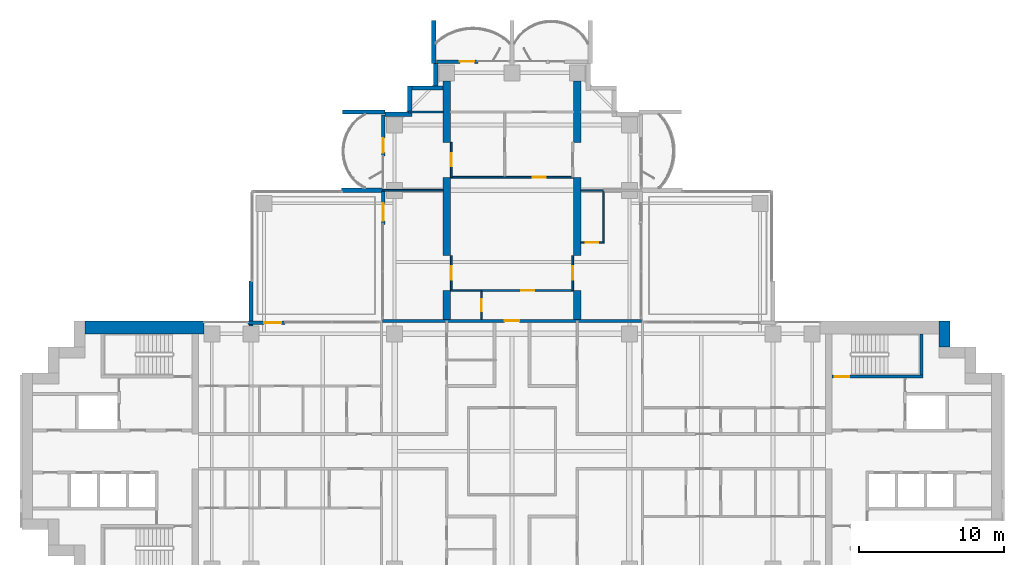
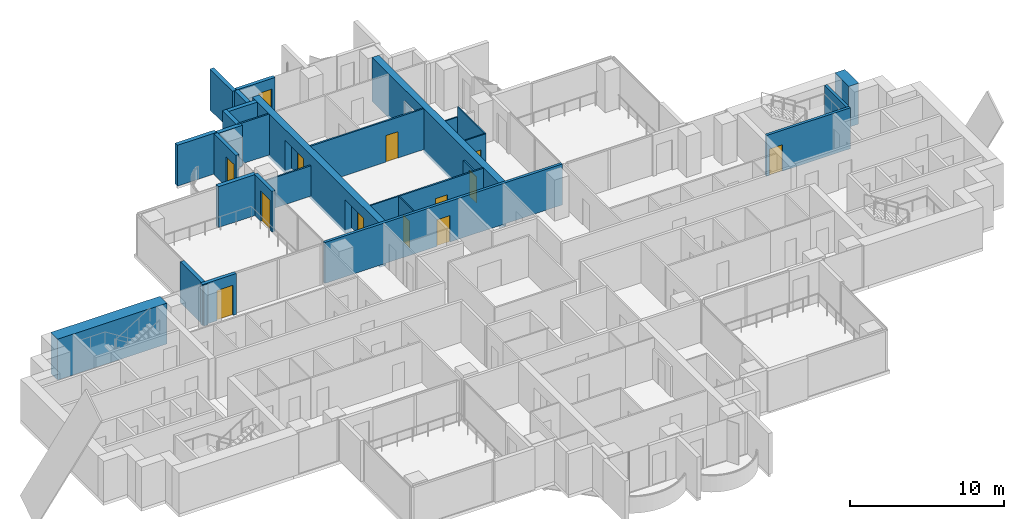
# One storey, part 13 of 18: 31 walls, 13 doors, 13 openings.
"""IFC4 building model written with IfcOpenShell, lengths in metres."""

import ifcopenshell
import ifcopenshell.guid

model = None  # the IFC model being written
_history = None  # IfcOwnerHistory: only IFC2X3 demands one
_inside = {}  # id of a spatial element -> (the spatial element, [elements in it])
_under = {}  # id of a project, library or spatial element -> (it, [spatial elements below it])
_declared = {}  # id of a project -> (the project, [libraries it declares])
_typed = {}  # id of a type object -> (the type object, [elements of that type])
_made_of = {}  # id of a material, layer set ... -> (it, [elements and type objects made of it])


def new_model(schema):
    """Start an empty IFC model of exactly this schema.

    Asked for "IFC4X3", IfcOpenShell would pick the latest addendum, in which some entities
    have other attributes; the version numbers below select the first issue.
    IFC2X3 requires an IfcOwnerHistory on every rooted entity: one is made here for all.
    """
    global model, _history
    if schema == "IFC4X3":
        model = ifcopenshell.file(schema_version=(4, 3, 0, 0))
    else:
        model = ifcopenshell.file(schema=schema)
    _inside.clear()
    _under.clear()
    _declared.clear()
    _typed.clear()
    _made_of.clear()
    _history = None
    if model.schema == "IFC2X3":
        org = make("IfcOrganization", Name="unknown")
        user = make(
            "IfcPersonAndOrganization",
            ThePerson=make("IfcPerson", FamilyName="unknown"),
            TheOrganization=org,
        )
        app = make(
            "IfcApplication",
            ApplicationDeveloper=org,
            Version="unknown",
            ApplicationFullName="unknown",
            ApplicationIdentifier="unknown",
        )
        _history = make(
            "IfcOwnerHistory",
            OwningUser=user,
            OwningApplication=app,
            ChangeAction="ADDED",
            CreationDate=0,
        )
    return model


def make(cls, **values):
    """One entity of the class cls with the attributes given. An attribute that is None is left unset."""
    return model.create_entity(
        cls, **{name: value for name, value in values.items() if value is not None}
    )


def rooted(cls, **values):
    """An entity with a GlobalId (a new one), such as an element, a storey or a relation."""
    return make(cls, GlobalId=ifcopenshell.guid.new(), OwnerHistory=_history, **values)


def si_unit(unit_type, name, prefix=None):
    """IfcSIUnit, for example si_unit("LENGTHUNIT", "METRE", prefix="MILLI")."""
    return make("IfcSIUnit", UnitType=unit_type, Prefix=prefix, Name=name)


def assignment(units):
    """IfcUnitAssignment: the units of a project."""
    return None if units is None else make("IfcUnitAssignment", Units=units)


def point(xyz):
    """IfcCartesianPoint."""
    return None if xyz is None else make("IfcCartesianPoint", Coordinates=xyz)


def direction(xyz):
    """IfcDirection."""
    return None if xyz is None else make("IfcDirection", DirectionRatios=xyz)


def frame(location, z_axis=None, x_axis=None):
    """IfcAxis2Placement3D, a coordinate frame: its origin and axes. An axis left out is left unset."""
    return make(
        "IfcAxis2Placement3D",
        Location=point(location),
        Axis=direction(z_axis),
        RefDirection=direction(x_axis),
    )


def frame_2d(location, x_axis=None):
    """IfcAxis2Placement2D, a coordinate frame in the plane: its origin and x axis."""
    return make(
        "IfcAxis2Placement2D", Location=point(location), RefDirection=direction(x_axis)
    )


def origin():
    """The frame at (0, 0, 0) with its axes left unset."""
    return frame((0.0, 0.0, 0.0))


def place(relative_to, where):
    """IfcLocalPlacement: puts the frame where relative to a parent placement (None: the world)."""
    return make(
        "IfcLocalPlacement", PlacementRelTo=relative_to, RelativePlacement=where
    )


def context(
    kind, dimensions, precision=None, world=None, true_north=None, identifier=None
):
    """IfcGeometricRepresentationContext, for example the 3D "Model" context."""
    return make(
        "IfcGeometricRepresentationContext",
        ContextIdentifier=identifier,
        ContextType=kind,
        CoordinateSpaceDimension=dimensions,
        Precision=precision,
        WorldCoordinateSystem=world,
        TrueNorth=true_north,
    )


def subcontext(parent, identifier, kind, view, scale=None):
    """IfcGeometricRepresentationSubContext, for example "Body" below "Model"."""
    return make(
        "IfcGeometricRepresentationSubContext",
        ContextIdentifier=identifier,
        ContextType=kind,
        ParentContext=parent,
        TargetScale=scale,
        TargetView=view,
    )


def project(units=None, contexts=None):
    """IfcProject with its units and contexts."""
    return rooted(
        "IfcProject",
        Name="project",
        RepresentationContexts=contexts,
        UnitsInContext=assignment(units),
    )


def spatial(cls, under=None, at=None, **own):
    """A site, building, storey or space (cls), placed at a placement, below another one or the project."""
    s = rooted(cls, ObjectPlacement=at, **own)
    if under is not None:
        _under.setdefault(under.id(), (under, []))[1].append(s)
    return s


def polyline(points):
    """IfcPolyline through the points."""
    return make("IfcPolyline", Points=[point(p) for p in points])


def profile(cls, at=None, kind="AREA", **sizes):
    """A parametric profile (cls). Its sizes go by their IFC names, for example OverallWidth=200.0."""
    return make(cls, ProfileType=kind, Position=at, **sizes)


def rectangle(**sizes):
    """IfcRectangleProfileDef."""
    return profile("IfcRectangleProfileDef", **sizes)


def outline(outer, holes=None, kind="AREA"):
    """IfcArbitraryClosedProfileDef: a profile drawn as a closed curve; with holes, ...WithVoids."""
    if holes is None:
        return make("IfcArbitraryClosedProfileDef", ProfileType=kind, OuterCurve=outer)
    return make(
        "IfcArbitraryProfileDefWithVoids",
        ProfileType=kind,
        OuterCurve=outer,
        InnerCurves=holes,
    )


def extrude(swept, where, along, depth):
    """IfcExtrudedAreaSolid: the profile swept, set in the frame where, extruded along a direction by depth."""
    return make(
        "IfcExtrudedAreaSolid",
        SweptArea=swept,
        Position=where,
        ExtrudedDirection=direction(along),
        Depth=depth,
    )


def shape(context_of_items, identifier, shape_type, items):
    """IfcShapeRepresentation: the items that make up one representation, for example the "Body"."""
    return make(
        "IfcShapeRepresentation",
        ContextOfItems=context_of_items,
        RepresentationIdentifier=identifier,
        RepresentationType=shape_type,
        Items=items,
    )


def material(Name=None, Category=None):
    """IfcMaterial."""
    return make("IfcMaterial", Name=Name, Category=Category)


def layer(
    of_material, thickness, ventilated=None, Name=None, Category=None, Priority=None
):
    """IfcMaterialLayer: one layer of a wall or slab, of a material (None: an air gap)."""
    return make(
        "IfcMaterialLayer",
        Material=of_material,
        LayerThickness=thickness,
        IsVentilated=ventilated,
        Name=Name,
        Category=Category,
        Priority=Priority,
    )


def layer_set(layers, Name=None):
    """IfcMaterialLayerSet."""
    return make("IfcMaterialLayerSet", MaterialLayers=layers, LayerSetName=Name)


def material_profile(
    of_material, cross_section, Name=None, Category=None, Priority=None
):
    """IfcMaterialProfile: a cross section and its material."""
    return make(
        "IfcMaterialProfile",
        Name=Name,
        Material=of_material,
        Profile=cross_section,
        Priority=Priority,
        Category=Category,
    )


def profile_set(profiles, Name=None, composite=None):
    """IfcMaterialProfileSet."""
    return make(
        "IfcMaterialProfileSet",
        Name=Name,
        MaterialProfiles=profiles,
        CompositeProfile=composite,
    )


def made_of(thing, what):
    """Note that an element or type object is made of a material, layer set ...; save() writes the relation."""
    if what is not None:
        _made_of.setdefault(what.id(), (what, []))[1].append(thing)
    return thing


def type_object(cls, material=None, **own):
    """A type object (cls), such as IfcWallType, which elements share."""
    return made_of(rooted(cls, **own), material)


def element(
    cls,
    number,
    at=None,
    inside=None,
    cuts=None,
    type_object=None,
    material=None,
    context=None,
    identifier="Body",
    shape_type=None,
    held_by="IfcProductDefinitionShape",
    body=None,
    shapes=None,
    **own,
):
    """One element of the class cls, such as IfcWall. Its Tag is "e" and its number.

    at: its placement. inside: the storey or other place that contains it. cuts: it is an
    opening in that element (IfcRelVoidsElement). A single representation is given by context,
    identifier, shape_type and body (its items); several are given by shapes. held_by: the class
    of the entity that holds the representations. save() writes the other relations.
    """
    e = rooted(cls, Tag="e%d" % number, ObjectPlacement=at, **own)
    if body is not None:
        shapes = [shape(context, identifier, shape_type, body)]
    if shapes is not None:
        e.Representation = make(held_by, Representations=shapes)
    if inside is not None:
        _inside.setdefault(inside.id(), (inside, []))[1].append(e)
    if cuts is not None:
        rooted(
            "IfcRelVoidsElement", RelatingBuildingElement=cuts, RelatedOpeningElement=e
        )
    if type_object is not None:
        _typed.setdefault(type_object.id(), (type_object, []))[1].append(e)
    return made_of(e, material)


def fill(opening, filler):
    """IfcRelFillsElement: the door or window that sits in an opening."""
    return rooted(
        "IfcRelFillsElement",
        RelatingOpeningElement=opening,
        RelatedBuildingElement=filler,
    )


def aggregate(whole, parts):
    """IfcRelAggregates: a whole, such as a stair, and the parts it consists of."""
    return rooted("IfcRelAggregates", RelatingObject=whole, RelatedObjects=parts)


def save(model, path):
    """Write the relations noted so far, then the file.

    IfcRelAggregates (storeys below a building ...), IfcRelContainedInSpatialStructure (elements
    in a storey), IfcRelDefinesByType, IfcRelAssociatesMaterial and IfcRelDeclares: one each for
    every whole, place, type object, material and project.
    """
    for whole, parts in _under.values():
        aggregate(whole, parts)
    for where, things in _inside.values():
        rooted(
            "IfcRelContainedInSpatialStructure",
            RelatedElements=things,
            RelatingStructure=where,
        )
    for kind, things in _typed.values():
        rooted("IfcRelDefinesByType", RelatedObjects=things, RelatingType=kind)
    for what, things in _made_of.values():
        rooted("IfcRelAssociatesMaterial", RelatedObjects=things, RelatingMaterial=what)
    for by, libraries in _declared.values():
        rooted("IfcRelDeclares", RelatingContext=by, RelatedDefinitions=libraries)
    model.write(path)


model = new_model("IFC4")

# Units and contexts
model_context = context("Model", 3, precision=1e-05, world=origin(), true_north=direction((0.0, 1.0)))
body_context = subcontext(model_context, "Body", "Model", "MODEL_VIEW")
ifc_project = project(units=[si_unit("LENGTHUNIT", "METRE"), si_unit("AREAUNIT", "SQUARE_METRE"), si_unit("VOLUMEUNIT", "CUBIC_METRE"), si_unit("PLANEANGLEUNIT", "RADIAN"), si_unit("MASSUNIT", "GRAM", prefix="KILO")], contexts=[model_context])

# Site, building, storey
site_placement = place(None, origin())
site = spatial("IfcSite", under=ifc_project, at=site_placement, CompositionType="ELEMENT")
building_placement = place(site_placement, origin())
building = spatial("IfcBuilding", under=site, at=building_placement, Name="Perihelion Cross Residences", CompositionType="ELEMENT")
storey_placement = place(building_placement, frame((0.0, 0.0, 133.89990234375)))
storey = spatial("IfcBuildingStorey", under=building, at=storey_placement, Name="L32", CompositionType="ELEMENT", Elevation=133.89990234375)

# Wall, opening, door
ifc_material_1 = material(Name="Plasterboard partition")
ifc_layer_1 = layer(ifc_material_1, 0.199951171875)
ifc_layer_set_1 = layer_set([ifc_layer_1], Name="Apartment separation wall 200")
wall_type_1 = type_object("IfcWallType", Name="Apartment separation wall 200", PredefinedType="PARTITIONING", material=ifc_layer_set_1)
wall_1_placement = place(storey_placement, frame((-8.919921875, 9.0, 0.0), z_axis=(0.0, 0.0, 1.0), x_axis=(1.0, 0.0, 0.0)))
wall_1 = element("IfcWall", 1, at=wall_1_placement, inside=storey, type_object=wall_type_1, Name="Partition L32 W021", PredefinedType="PARTITIONING", context=body_context, shape_type="SweptSolid", body=[
    extrude(rectangle(XDim=17.83984375, YDim=0.199951171875, at=frame_2d((8.919921875, 0.0))), origin(), (0.0, 0.0, 1.0), 3.25),
])
opening_1_placement = place(wall_1_placement, frame((8.419921875, 0.0, 0.0)))
opening_1 = element("IfcOpeningElement", 2, at=opening_1_placement, cuts=wall_1, Name="Opening L32.A32", PredefinedType="OPENING", context=body_context, shape_type="SweptSolid", body=[
    extrude(rectangle(XDim=1.0, YDim=2.10009765625, at=frame_2d((0.5, 1.050048828125))), frame((0.0, 0.10986328125, 0.0), z_axis=(0.0, -1.0, 0.0), x_axis=(1.0, 0.0, 0.0)), (0.0, 0.0, 1.0), 0.219970703125),
])
ifc_material_2 = material(Name="Timber door leaf", Category="wood")
door_type_1 = type_object("IfcDoorType", Name="Flat entrance door 1000 x 2100", OperationType="SINGLE_SWING_LEFT", PredefinedType="DOOR", material=ifc_material_2)
door_1_placement = place(opening_1_placement, origin())
door_1 = element("IfcDoor", 3, at=door_1_placement, inside=storey, type_object=door_type_1, Name="Door L32.A32", OperationType="SINGLE_SWING_RIGHT", OverallHeight=2.10009765625, OverallWidth=1.0, PredefinedType="DOOR", context=body_context, shape_type="SweptSolid", body=[
    extrude(rectangle(XDim=1.0, YDim=2.10009765625, at=frame_2d((0.5, 1.050048828125))), frame((0.0, 0.02490234375, 0.0), z_axis=(0.0, -1.0, 0.0), x_axis=(1.0, 0.0, 0.0)), (0.0, 0.0, 1.0), 0.050048828125),
])
fill(opening_1, door_1)

ifc_material_3 = material(Name="Concrete C30/37, bronze-clad", Category="concrete")
ifc_layer_2 = layer(ifc_material_3, 0.25)
ifc_layer_set_2 = layer_set([ifc_layer_2], Name="Bronze-clad pier wall 250")
wall_type_2 = type_object("IfcWallType", Name="Bronze-clad pier wall 250", PredefinedType="SOLIDWALL", material=ifc_layer_set_2)
wall_2_placement = place(storey_placement, frame((-2.35009765625, 26.875, 0.0), z_axis=(0.0, 0.0, 1.0), x_axis=(-1.0, 0.0, 0.0)))
wall_2 = element("IfcWall", 4, at=wall_2_placement, inside=storey, type_object=wall_type_2, Name="Wall FW1 L32 north tip north bay 2 pier", PredefinedType="SOLIDWALL", context=body_context, shape_type="SweptSolid", body=[
    extrude(rectangle(XDim=2.849853515625, YDim=0.25, at=frame_2d((1.4248046875, 0.0))), origin(), (0.0, 0.0, 1.0), 3.25),
])
opening_2_placement = place(wall_2_placement, frame((0.25, 0.0, 0.0)))
opening_2 = element("IfcOpeningElement", 5, at=opening_2_placement, cuts=wall_2, Name="Opening L32.E05", PredefinedType="OPENING", context=body_context, shape_type="SweptSolid", body=[
    extrude(rectangle(XDim=1.0, YDim=2.39990234375, at=frame_2d((0.5, 1.199951171875))), frame((0.0, 0.135009765625, 0.0), z_axis=(0.0, -1.0, 0.0), x_axis=(1.0, 0.0, 0.0)), (0.0, 0.0, 1.0), 0.27001953125),
])
ifc_material_4 = material(Name="Bronze anodised aluminium, glazed", Category="aluminium")
door_type_2 = type_object("IfcDoorType", Name="Balcony door 1000 x 2400", OperationType="NOTDEFINED", PredefinedType="DOOR", material=ifc_material_4)
door_2_placement = place(opening_2_placement, origin())
door_2 = element("IfcDoor", 6, at=door_2_placement, inside=storey, type_object=door_type_2, Name="Door L32.E05 north tip north bay 2", OperationType="SINGLE_SWING_RIGHT", OverallHeight=2.39990234375, OverallWidth=1.0, PredefinedType="DOOR", context=body_context, shape_type="SweptSolid", body=[
    extrude(rectangle(XDim=1.0, YDim=2.39990234375, at=frame_2d((0.5, 1.199951171875))), frame((0.0, 0.02490234375, 0.0), z_axis=(0.0, -1.0, 0.0), x_axis=(1.0, 0.0, 0.0)), (0.0, 0.0, 1.0), 0.050048828125),
])
fill(opening_2, door_2)

wall_3_placement = place(storey_placement, frame((-8.875, 23.199951171875, 0.0), z_axis=(0.0, 0.0, 1.0), x_axis=(0.0, -1.0, 0.0)))
wall_3 = element("IfcWall", 7, at=wall_3_placement, inside=storey, type_object=wall_type_2, Name="Wall FW1 L32 north side west bay 1 pier", PredefinedType="SOLIDWALL", context=body_context, shape_type="SweptSolid", body=[
    extrude(rectangle(XDim=2.849853515625, YDim=0.25, at=frame_2d((1.4248046875, 0.0))), origin(), (0.0, 0.0, 1.0), 3.25),
])
opening_3_placement = place(wall_3_placement, frame((1.60009765625, 0.0, 0.0)))
opening_3 = element("IfcOpeningElement", 8, at=opening_3_placement, cuts=wall_3, Name="Opening L32.E06", PredefinedType="OPENING", context=body_context, shape_type="SweptSolid", body=[
    extrude(rectangle(XDim=1.0, YDim=2.39990234375, at=frame_2d((0.5, 1.199951171875))), frame((0.0, 0.135009765625, 0.0), z_axis=(0.0, -1.0, 0.0), x_axis=(1.0, 0.0, 0.0)), (0.0, 0.0, 1.0), 0.27001953125),
])
door_3_placement = place(opening_3_placement, origin())
door_3 = element("IfcDoor", 9, at=door_3_placement, inside=storey, type_object=door_type_2, Name="Door L32.E06 north side west bay 1", OperationType="SINGLE_SWING_LEFT", OverallHeight=2.39990234375, OverallWidth=1.0, PredefinedType="DOOR", context=body_context, shape_type="SweptSolid", body=[
    extrude(rectangle(XDim=1.0, YDim=2.39990234375, at=frame_2d((0.5, 1.199951171875))), frame((0.0, 0.02490234375, 0.0), z_axis=(0.0, -1.0, 0.0), x_axis=(1.0, 0.0, 0.0)), (0.0, 0.0, 1.0), 0.050048828125),
])
fill(opening_3, door_3)

wall_4_placement = place(storey_placement, frame((-8.875, 17.93994140625, 0.0), z_axis=(0.0, 0.0, 1.0), x_axis=(0.0, -1.0, 0.0)))
wall_4 = element("IfcWall", 10, at=wall_4_placement, inside=storey, type_object=wall_type_2, Name="Wall FW1 L32 north side west bay 2 pier", PredefinedType="SOLIDWALL", context=body_context, shape_type="SweptSolid", body=[
    extrude(rectangle(XDim=2.2900390625, YDim=0.25, at=frame_2d((1.14501953125, 0.0))), origin(), (0.0, 0.0, 1.0), 3.25),
])
opening_4_placement = place(wall_4_placement, frame((0.840087890625, 0.0, 0.0)))
opening_4 = element("IfcOpeningElement", 11, at=opening_4_placement, cuts=wall_4, Name="Opening L32.E07", PredefinedType="OPENING", context=body_context, shape_type="SweptSolid", body=[
    extrude(rectangle(XDim=1.199951171875, YDim=2.39990234375, at=frame_2d((0.60009765625, 1.199951171875))), frame((0.0, 0.135009765625, 0.0), z_axis=(0.0, -1.0, 0.0), x_axis=(1.0, 0.0, 0.0)), (0.0, 0.0, 1.0), 0.27001953125),
])
ifc_material_5 = material(Name="Bronze anodised aluminium, glazed", Category="aluminium")
door_type_3 = type_object("IfcDoorType", Name="Balcony door 1200 x 2400", OperationType="NOTDEFINED", PredefinedType="DOOR", material=ifc_material_5)
door_4_placement = place(opening_4_placement, origin())
door_4 = element("IfcDoor", 12, at=door_4_placement, inside=storey, type_object=door_type_3, Name="Door L32.E07 north side west bay 2", OperationType="SINGLE_SWING_RIGHT", OverallHeight=2.39990234375, OverallWidth=1.199951171875, PredefinedType="DOOR", context=body_context, shape_type="SweptSolid", body=[
    extrude(rectangle(XDim=1.199951171875, YDim=2.39990234375, at=frame_2d((0.60009765625, 1.199951171875))), frame((0.0, 0.02490234375, 0.0), z_axis=(0.0, -1.0, 0.0), x_axis=(1.0, 0.0, 0.0)), (0.0, 0.0, 1.0), 0.050048828125),
])
fill(opening_4, door_4)

wall_5_placement = place(storey_placement, frame((-15.64990234375, 8.875, 0.0), z_axis=(0.0, 0.0, 1.0), x_axis=(-1.0, 0.0, 0.0)))
wall_5 = element("IfcWall", 13, at=wall_5_placement, inside=storey, type_object=wall_type_2, Name="Wall FW1 L32 west side north bay 1 pier", PredefinedType="SOLIDWALL", context=body_context, shape_type="SweptSolid", body=[
    extrude(rectangle(XDim=2.550048828125, YDim=0.25, at=frame_2d((1.27490234375, 0.0))), origin(), (0.0, 0.0, 1.0), 3.25),
])
opening_5_placement = place(wall_5_placement, frame((0.25, 0.0, 0.0)))
opening_5 = element("IfcOpeningElement", 14, at=opening_5_placement, cuts=wall_5, Name="Opening L32.E08", PredefinedType="OPENING", context=body_context, shape_type="SweptSolid", body=[
    extrude(rectangle(XDim=1.199951171875, YDim=2.39990234375, at=frame_2d((0.60009765625, 1.199951171875))), frame((0.0, 0.135009765625, 0.0), z_axis=(0.0, -1.0, 0.0), x_axis=(1.0, 0.0, 0.0)), (0.0, 0.0, 1.0), 0.27001953125),
])
door_5_placement = place(opening_5_placement, origin())
door_5 = element("IfcDoor", 15, at=door_5_placement, inside=storey, type_object=door_type_3, Name="Door L32.E08 west side north bay 1", OperationType="SINGLE_SWING_LEFT", OverallHeight=2.39990234375, OverallWidth=1.199951171875, PredefinedType="DOOR", context=body_context, shape_type="SweptSolid", body=[
    extrude(rectangle(XDim=1.199951171875, YDim=2.39990234375, at=frame_2d((0.60009765625, 1.199951171875))), frame((0.0, 0.02490234375, 0.0), z_axis=(0.0, -1.0, 0.0), x_axis=(1.0, 0.0, 0.0)), (0.0, 0.0, 1.0), 0.050048828125),
])
fill(opening_5, door_5)

# Walls
ifc_material_6 = material(Name="Concrete C30/37, bronze-clad", Category="concrete")
ifc_layer_3 = layer(ifc_material_6, 0.300048828125)
ifc_layer_set_3 = layer_set([ifc_layer_3], Name="Bronze-clad serration wall 300")
wall_type_3 = type_object("IfcWallType", Name="Bronze-clad serration wall 300", PredefinedType="SOLIDWALL", material=ifc_layer_set_3)
wall_6_placement = place(storey_placement, frame((-5.25, 26.75, 0.0), z_axis=(0.0, 0.0, 1.0), x_axis=(0.0, -1.0, 0.0)))
element("IfcWall", 16, at=wall_6_placement, inside=storey, type_object=wall_type_3, Name="Wall SR1 L32 north corner north-west 1", PredefinedType="SOLIDWALL", context=body_context, shape_type="SweptSolid", body=[
    extrude(rectangle(XDim=1.550048828125, YDim=0.300048828125, at=frame_2d((0.77490234375, 0.0))), origin(), (0.0, 0.0, 1.0), 3.25),
])
wall_7_placement = place(storey_placement, frame((-4.75, 25.050048828125, 0.0), z_axis=(0.0, 0.0, 1.0), x_axis=(-1.0, 0.0, 0.0)))
element("IfcWall", 17, at=wall_7_placement, inside=storey, type_object=wall_type_3, Name="Wall SR1 L32 north corner north-west 2", PredefinedType="SOLIDWALL", context=body_context, shape_type="SweptSolid", body=[
    extrude(rectangle(XDim=2.14990234375, YDim=0.300048828125, at=frame_2d((1.074951171875, 0.0))), origin(), (0.0, 0.0, 1.0), 3.25),
])
wall_8_placement = place(storey_placement, frame((-7.050048828125, 25.199951171875, 0.0), z_axis=(0.0, 0.0, 1.0), x_axis=(0.0, -1.0, 0.0)))
element("IfcWall", 18, at=wall_8_placement, inside=storey, type_object=wall_type_3, Name="Wall SR1 L32 north corner north-west 3", PredefinedType="SOLIDWALL", context=body_context, shape_type="SweptSolid", body=[
    extrude(rectangle(XDim=1.800048828125, YDim=0.300048828125, at=frame_2d((0.89990234375, 0.0))), origin(), (0.0, 0.0, 1.0), 3.25),
])
wall_9_placement = place(storey_placement, frame((-6.89990234375, 23.25, 0.0), z_axis=(0.0, 0.0, 1.0), x_axis=(-1.0, 0.0, 0.0)))
element("IfcWall", 19, at=wall_9_placement, inside=storey, type_object=wall_type_3, Name="Wall SR1 L32 north corner north-west 4", PredefinedType="SOLIDWALL", context=body_context, shape_type="SweptSolid", body=[
    extrude(rectangle(XDim=1.85009765625, YDim=0.300048828125, at=frame_2d((0.925048828125, 0.0))), origin(), (0.0, 0.0, 1.0), 3.25),
])
ifc_material_7 = material(Name="Concrete C60/75", Category="concrete")
ifc_layer_4 = layer(ifc_material_7, 0.75)
ifc_layer_set_4 = layer_set([ifc_layer_4], Name="Core wall, outer 750")
wall_type_4 = type_object("IfcWallType", Name="Core wall, outer 750", PredefinedType="SHEAR", material=ifc_layer_set_4)
wall_10_placement = place(storey_placement, frame((29.824951171875, 7.199951171875, 0.0), z_axis=(0.0, 0.0, 1.0), x_axis=(0.0, 1.0, 0.0)))
element("IfcWall", 20, at=wall_10_placement, inside=storey, type_object=wall_type_4, Name="East core core wall, outer", PredefinedType="SHEAR", context=body_context, shape_type="SweptSolid", body=[
    extrude(rectangle(XDim=1.800048828125, YDim=0.75, at=frame_2d((0.89990234375, 0.0))), origin(), (0.0, 0.0, 1.0), 3.25),
])
ifc_material_8 = material(Name="Concrete C60/75", Category="concrete")
ifc_layer_5 = layer(ifc_material_8, 0.89990234375)
ifc_layer_set_5 = layer_set([ifc_layer_5], Name="Core wall, outer 900")
wall_type_5 = type_object("IfcWallType", Name="Core wall, outer 900", PredefinedType="SHEAR", material=ifc_layer_set_5)
wall_11_placement = place(storey_placement, frame((-29.449951171875, 8.550048828125, 0.0), z_axis=(0.0, 0.0, 1.0), x_axis=(1.0, 0.0, 0.0)))
element("IfcWall", 21, at=wall_11_placement, inside=storey, type_object=wall_type_5, Name="West core core wall, outer", PredefinedType="SHEAR", context=body_context, shape_type="SweptSolid", body=[
    extrude(rectangle(XDim=8.199951171875, YDim=0.89990234375, at=frame_2d((4.10009765625, 0.0))), origin(), (0.0, 0.0, 1.0), 3.25),
])

# Wall, opening, door
ifc_material_9 = material(Name="Plasterboard partition")
ifc_layer_6 = layer(ifc_material_9, 0.1201171875)
ifc_layer_set_6 = layer_set([ifc_layer_6], Name="Infill panel 120")
wall_type_6 = type_object("IfcWallType", Name="Infill panel 120", PredefinedType="PARTITIONING", material=ifc_layer_set_6)
wall_12_placement = place(storey_placement, frame((4.18994140625, 11.10009765625, 0.0), z_axis=(0.0, 0.0, 1.0), x_axis=(0.0, 1.0, 0.0)))
wall_12 = element("IfcWall", 22, at=wall_12_placement, inside=storey, type_object=wall_type_6, Name="Partition L32 WI01", PredefinedType="PARTITIONING", context=body_context, shape_type="SweptSolid", body=[
    extrude(rectangle(XDim=2.39990234375, YDim=0.1201171875, at=frame_2d((1.199951171875, 0.0))), origin(), (0.0, 0.0, 1.0), 2.400146484375),
])
opening_6_placement = place(wall_12_placement, frame((0.75, 0.0, 0.0)))
opening_6 = element("IfcOpeningElement", 23, at=opening_6_placement, cuts=wall_12, Name="Opening L32.A50", PredefinedType="OPENING", context=body_context, shape_type="SweptSolid", body=[
    extrude(rectangle(XDim=0.89990234375, YDim=2.10009765625, at=frame_2d((0.449951171875, 1.050048828125))), frame((0.0, 0.070068359375, 0.0), z_axis=(0.0, -1.0, 0.0), x_axis=(1.0, 0.0, 0.0)), (0.0, 0.0, 1.0), 0.14013671875),
])
ifc_material_10 = material(Name="Timber door leaf", Category="wood")
door_type_4 = type_object("IfcDoorType", Name="Interior room door 900 x 2100", OperationType="SINGLE_SWING_LEFT", PredefinedType="DOOR", material=ifc_material_10)
door_6_placement = place(opening_6_placement, origin())
door_6 = element("IfcDoor", 24, at=door_6_placement, inside=storey, type_object=door_type_4, Name="Door L32.A50", OperationType="SINGLE_SWING_RIGHT", OverallHeight=2.10009765625, OverallWidth=0.89990234375, PredefinedType="DOOR", context=body_context, shape_type="SweptSolid", body=[
    extrude(rectangle(XDim=0.89990234375, YDim=2.10009765625, at=frame_2d((0.449951171875, 1.050048828125))), frame((0.0, 0.02490234375, 0.0), z_axis=(0.0, -1.0, 0.0), x_axis=(1.0, 0.0, 0.0)), (0.0, 0.0, 1.0), 0.050048828125),
])
fill(opening_6, door_6)

wall_13_placement = place(storey_placement, frame((-4.18994140625, 11.10009765625, 0.0), z_axis=(0.0, 0.0, 1.0), x_axis=(0.0, 1.0, 0.0)))
wall_13 = element("IfcWall", 25, at=wall_13_placement, inside=storey, type_object=wall_type_6, Name="Partition L32 WI03", PredefinedType="PARTITIONING", context=body_context, shape_type="SweptSolid", body=[
    extrude(rectangle(XDim=2.39990234375, YDim=0.1201171875, at=frame_2d((1.199951171875, 0.0))), origin(), (0.0, 0.0, 1.0), 2.400146484375),
])
opening_7_placement = place(wall_13_placement, frame((0.75, 0.0, 0.0)))
opening_7 = element("IfcOpeningElement", 26, at=opening_7_placement, cuts=wall_13, Name="Opening L32.A52", PredefinedType="OPENING", context=body_context, shape_type="SweptSolid", body=[
    extrude(rectangle(XDim=0.89990234375, YDim=2.10009765625, at=frame_2d((0.449951171875, 1.050048828125))), frame((0.0, 0.070068359375, 0.0), z_axis=(0.0, -1.0, 0.0), x_axis=(1.0, 0.0, 0.0)), (0.0, 0.0, 1.0), 0.14013671875),
])
door_7_placement = place(opening_7_placement, origin())
door_7 = element("IfcDoor", 27, at=door_7_placement, inside=storey, type_object=door_type_4, Name="Door L32.A52", OperationType="SINGLE_SWING_LEFT", OverallHeight=2.10009765625, OverallWidth=0.89990234375, PredefinedType="DOOR", context=body_context, shape_type="SweptSolid", body=[
    extrude(rectangle(XDim=0.89990234375, YDim=2.10009765625, at=frame_2d((0.449951171875, 1.050048828125))), frame((0.0, 0.02490234375, 0.0), z_axis=(0.0, -1.0, 0.0), x_axis=(1.0, 0.0, 0.0)), (0.0, 0.0, 1.0), 0.050048828125),
])
fill(opening_7, door_7)

wall_14_placement = place(storey_placement, frame((-4.18994140625, 18.89990234375, 0.0), z_axis=(0.0, 0.0, 1.0), x_axis=(0.0, 1.0, 0.0)))
wall_14 = element("IfcWall", 28, at=wall_14_placement, inside=storey, type_object=wall_type_6, Name="Partition L32 WI04", PredefinedType="PARTITIONING", context=body_context, shape_type="SweptSolid", body=[
    extrude(rectangle(XDim=2.400146484375, YDim=0.1201171875, at=frame_2d((1.2001953125, 0.0))), origin(), (0.0, 0.0, 1.0), 2.400146484375),
])
opening_8_placement = place(wall_14_placement, frame((0.75, 0.0, 0.0)))
opening_8 = element("IfcOpeningElement", 29, at=opening_8_placement, cuts=wall_14, Name="Opening L32.A53", PredefinedType="OPENING", context=body_context, shape_type="SweptSolid", body=[
    extrude(rectangle(XDim=0.89990234375, YDim=2.10009765625, at=frame_2d((0.449951171875, 1.050048828125))), frame((0.0, 0.070068359375, 0.0), z_axis=(0.0, -1.0, 0.0), x_axis=(1.0, 0.0, 0.0)), (0.0, 0.0, 1.0), 0.14013671875),
])
door_8_placement = place(opening_8_placement, origin())
door_8 = element("IfcDoor", 30, at=door_8_placement, inside=storey, type_object=door_type_4, Name="Door L32.A53", OperationType="SINGLE_SWING_RIGHT", OverallHeight=2.10009765625, OverallWidth=0.89990234375, PredefinedType="DOOR", context=body_context, shape_type="SweptSolid", body=[
    extrude(rectangle(XDim=0.89990234375, YDim=2.10009765625, at=frame_2d((0.449951171875, 1.050048828125))), frame((0.0, 0.02490234375, 0.0), z_axis=(0.0, -1.0, 0.0), x_axis=(1.0, 0.0, 0.0)), (0.0, 0.0, 1.0), 0.050048828125),
])
fill(opening_8, door_8)

ifc_material_11 = material(Name="Plasterboard partition")
ifc_layer_7 = layer(ifc_material_11, 0.1201171875)
ifc_layer_set_7 = layer_set([ifc_layer_7], Name="Partition wall 120")
wall_type_7 = type_object("IfcWallType", Name="Partition wall 120", PredefinedType="PARTITIONING", material=ifc_layer_set_7)
wall_15_placement = place(storey_placement, frame((-2.10009765625, 11.10009765625, 0.0), z_axis=(0.0, 0.0, 1.0), x_axis=(1.0, 0.0, 0.0)))
wall_15 = element("IfcWall", 31, at=wall_15_placement, inside=storey, type_object=wall_type_7, Name="Partition L32 W065", PredefinedType="PARTITIONING", context=body_context, shape_type="SweptSolid", body=[
    extrude(rectangle(XDim=6.35009765625, YDim=0.1201171875, at=frame_2d((3.175048828125, 0.0))), origin(), (0.0, 0.0, 1.0), 3.25),
])
opening_9_placement = place(wall_15_placement, frame((2.72509765625, 0.0, 0.0)))
opening_9 = element("IfcOpeningElement", 32, at=opening_9_placement, cuts=wall_15, Name="Opening L32.A34", PredefinedType="OPENING", context=body_context, shape_type="SweptSolid", body=[
    extrude(rectangle(XDim=0.89990234375, YDim=2.10009765625, at=frame_2d((0.449951171875, 1.050048828125))), frame((0.0, 0.070068359375, 0.0), z_axis=(0.0, -1.0, 0.0), x_axis=(1.0, 0.0, 0.0)), (0.0, 0.0, 1.0), 0.14013671875),
])
door_9_placement = place(opening_9_placement, origin())
door_9 = element("IfcDoor", 33, at=door_9_placement, inside=storey, type_object=door_type_4, Name="Door L32.A34", OperationType="SINGLE_SWING_RIGHT", OverallHeight=2.10009765625, OverallWidth=0.89990234375, PredefinedType="DOOR", context=body_context, shape_type="SweptSolid", body=[
    extrude(rectangle(XDim=0.89990234375, YDim=2.10009765625, at=frame_2d((0.449951171875, 1.050048828125))), frame((0.0, 0.02490234375, 0.0), z_axis=(0.0, -1.0, 0.0), x_axis=(1.0, 0.0, 0.0)), (0.0, 0.0, 1.0), 0.050048828125),
])
fill(opening_9, door_9)

wall_16_placement = place(storey_placement, frame((-4.25, 18.89990234375, 0.0), z_axis=(0.0, 0.0, 1.0), x_axis=(1.0, 0.0, 0.0)))
wall_16 = element("IfcWall", 34, at=wall_16_placement, inside=storey, type_object=wall_type_7, Name="Partition L32 W067", PredefinedType="PARTITIONING", context=body_context, shape_type="SweptSolid", body=[
    extrude(rectangle(XDim=8.5, YDim=0.1201171875, at=frame_2d((4.25, 0.0))), origin(), (0.0, 0.0, 1.0), 3.25),
])
opening_10_placement = place(wall_16_placement, frame((5.675048828125, 0.0, 0.0)))
opening_10 = element("IfcOpeningElement", 35, at=opening_10_placement, cuts=wall_16, Name="Opening L32.A35", PredefinedType="OPENING", context=body_context, shape_type="SweptSolid", body=[
    extrude(rectangle(XDim=0.89990234375, YDim=2.10009765625, at=frame_2d((0.449951171875, 1.050048828125))), frame((0.0, 0.070068359375, 0.0), z_axis=(0.0, -1.0, 0.0), x_axis=(1.0, 0.0, 0.0)), (0.0, 0.0, 1.0), 0.14013671875),
])
door_10_placement = place(opening_10_placement, origin())
door_10 = element("IfcDoor", 36, at=door_10_placement, inside=storey, type_object=door_type_4, Name="Door L32.A35", OperationType="SINGLE_SWING_RIGHT", OverallHeight=2.10009765625, OverallWidth=0.89990234375, PredefinedType="DOOR", context=body_context, shape_type="SweptSolid", body=[
    extrude(rectangle(XDim=0.89990234375, YDim=2.10009765625, at=frame_2d((0.449951171875, 1.050048828125))), frame((0.0, 0.02490234375, 0.0), z_axis=(0.0, -1.0, 0.0), x_axis=(1.0, 0.0, 0.0)), (0.0, 0.0, 1.0), 0.050048828125),
])
fill(opening_10, door_10)

# Walls
wall_17_placement = place(storey_placement, frame((-8.919921875, 18.0, 0.0), z_axis=(0.0, 0.0, 1.0), x_axis=(1.0, 0.0, 0.0)))
element("IfcWall", 37, at=wall_17_placement, inside=storey, type_object=wall_type_7, Name="Partition L32 W075", PredefinedType="PARTITIONING", context=body_context, shape_type="SweptSolid", body=[
    extrude(rectangle(XDim=4.169921875, YDim=0.1201171875, at=frame_2d((2.0849609375, 0.0))), origin(), (0.0, 0.0, 1.0), 2.4140625),
])
wall_18_placement = place(storey_placement, frame((-7.1201171875, 23.39990234375, 0.0), z_axis=(0.0, 0.0, 1.0), x_axis=(1.0, 0.0, 0.0)))
element("IfcWall", 38, at=wall_18_placement, inside=storey, type_object=wall_type_7, Name="Partition L32 W076", PredefinedType="PARTITIONING", context=body_context, shape_type="SweptSolid", body=[
    extrude(rectangle(XDim=2.3701171875, YDim=0.1201171875, at=frame_2d((1.18505859375, 0.0))), origin(), (0.0, 0.0, 1.0), 3.25),
])
ifc_material_12 = material(Name="Precast concrete C50/60", Category="concrete")
ifc_layer_8 = layer(ifc_material_12, 0.300048828125)
ifc_layer_set_8 = layer_set([ifc_layer_8], Name="Precast concrete C50/60 blade wall 300")
wall_type_8 = type_object("IfcWallType", Name="Precast concrete C50/60 blade wall 300", PredefinedType="SOLIDWALL", material=ifc_layer_set_8)
wall_19_placement = place(storey_placement, frame((-18.0, 8.64990234375, 0.0), z_axis=(0.0, 0.0, 1.0), x_axis=(0.0, 1.0, 0.0)))
element("IfcWall", 39, at=wall_19_placement, inside=storey, type_object=wall_type_8, Name="Wall BL1 L32 no. 2", PredefinedType="SOLIDWALL", context=body_context, shape_type="SweptSolid", body=[
    extrude(rectangle(XDim=3.090087890625, YDim=0.300048828125, at=frame_2d((1.544921875, 0.0))), origin(), (0.0, 0.0, 1.0), 3.25),
])
wall_20_placement = place(storey_placement, frame((-8.919921875, 18.0, 0.0), z_axis=(0.0, 0.0, 1.0), x_axis=(-1.0, 0.0, 0.0)))
element("IfcWall", 40, at=wall_20_placement, inside=storey, type_object=wall_type_8, Name="Wall BL1 L32 no. 6", PredefinedType="SOLIDWALL", context=body_context, shape_type="SweptSolid", body=[
    extrude(rectangle(XDim=2.820068359375, YDim=0.300048828125, at=frame_2d((1.41015625, 0.0))), origin(), (0.0, 0.0, 1.0), 3.25),
])
for number, where, z_axis, x_axis, name in (
    (41, (-8.75, 23.39990234375, 0.0), (0.0, 0.0, 1.0), (-1.0, 0.0, 0.0), "Wall BL1 L32 no. 7"),
    (42, (-5.39990234375, 26.75, 0.0), (0.0, 0.0, 1.0), (0.0, 1.0, 0.0), "Wall BL1 L32 no. 4"),
):
    element("IfcWall", number, at=place(storey_placement, frame(where, z_axis=z_axis, x_axis=x_axis)), inside=storey, type_object=wall_type_8, Name=name, PredefinedType="SOLIDWALL", context=body_context, shape_type="SweptSolid", body=[
        extrude(rectangle(XDim=2.949951171875, YDim=0.300048828125, at=frame_2d((1.47509765625, 0.0))), origin(), (0.0, 0.0, 1.0), 3.25),
    ])

# Wall, opening, door
ifc_material_13 = material(Name="Concrete C50/60", Category="concrete")
ifc_layer_9 = layer(ifc_material_13, 0.199951171875)
ifc_layer_set_9 = layer_set([ifc_layer_9], Name="Stair wall 200")
wall_type_9 = type_object("IfcWallType", Name="Stair wall 200", PredefinedType="SOLIDWALL", material=ifc_layer_set_9)
wall_21_placement = place(storey_placement, frame((22.050048828125, 5.14990234375, 0.0), z_axis=(0.0, 0.0, 1.0), x_axis=(1.0, 0.0, 0.0)))
wall_21 = element("IfcWall", 43, at=wall_21_placement, inside=storey, type_object=wall_type_9, Name="East core stair wall", PredefinedType="SOLIDWALL", context=body_context, shape_type="SweptSolid", body=[
    extrude(rectangle(XDim=6.300048828125, YDim=0.199951171875, at=frame_2d((3.14990234375, 0.0))), origin(), (0.0, 0.0, 1.0), 3.25),
])
opening_11_placement = place(wall_21_placement, frame((0.199951171875, 0.0, 0.0)))
opening_11 = element("IfcOpeningElement", 44, at=opening_11_placement, cuts=wall_21, Name="Opening L32.C06", PredefinedType="OPENING", context=body_context, shape_type="SweptSolid", body=[
    extrude(rectangle(XDim=1.0, YDim=2.10009765625, at=frame_2d((0.5, 1.050048828125))), frame((0.0, 0.10986328125, 0.0), z_axis=(0.0, -1.0, 0.0), x_axis=(1.0, 0.0, 0.0)), (0.0, 0.0, 1.0), 0.219970703125),
])
ifc_material_14 = material(Name="Steel, powder coated", Category="steel")
door_type_5 = type_object("IfcDoorType", Name="Stair door 1000", OperationType="SINGLE_SWING_LEFT", PredefinedType="DOOR", material=ifc_material_14)
door_11_placement = place(opening_11_placement, origin())
door_11 = element("IfcDoor", 45, at=door_11_placement, inside=storey, type_object=door_type_5, Name="East core stair door", OperationType="SINGLE_SWING_LEFT", OverallHeight=2.10009765625, OverallWidth=1.0, PredefinedType="DOOR", context=body_context, shape_type="SweptSolid", body=[
    extrude(rectangle(XDim=1.0, YDim=2.10009765625, at=frame_2d((0.5, 1.050048828125))), frame((0.0, 0.02490234375, 0.0), z_axis=(0.0, -1.0, 0.0), x_axis=(1.0, 0.0, 0.0)), (0.0, 0.0, 1.0), 0.050048828125),
])
fill(opening_11, door_11)

# Walls
wall_22_placement = place(storey_placement, frame((28.25, 5.25, 0.0), z_axis=(0.0, 0.0, 1.0), x_axis=(0.0, 1.0, 0.0)))
element("IfcWall", 46, at=wall_22_placement, inside=storey, type_object=wall_type_9, Name="East core stair wall", PredefinedType="SOLIDWALL", context=body_context, shape_type="SweptSolid", body=[
    extrude(rectangle(XDim=2.85009765625, YDim=0.199951171875, at=frame_2d((1.425048828125, 0.0))), origin(), (0.0, 0.0, 1.0), 3.25),
])
ifc_material_15 = material(Name="Concrete C60/75", Category="concrete")
ifc_material_profile = material_profile(ifc_material_15, outline(polyline([(0.0, 0.0), (2.10009765625, 0.0), (2.10009765625, 2.64990234375), (4.5, 2.64990234375), (4.5, 0.0), (9.89990234375, 0.0), (9.89990234375, 2.64990234375), (12.300048828125, 2.64990234375), (12.300048828125, 0.0), (16.550048828125, 0.0), (16.550048828125, 3.5), (0.0, 3.5), (0.0, 0.0)])), Name="Tip spine wall")
ifc_profile_set = profile_set([ifc_material_profile], Name="Concrete C60/75")
wall_type_10 = type_object("IfcWallType", Name="Tip spine wall 500 with 2 door openings 16550 long 3500 high concrete C60/75", PredefinedType="SHEAR", material=ifc_profile_set)
for number, where, z_axis, x_axis, name in (
    (47, (-4.75, 9.0, -0.25), (1.0, 0.0, 0.0), (0.0, 1.0, 0.0), "Shear wall SW34 L32 north west"),
    (48, (4.25, 9.0, -0.25), (1.0, 0.0, 0.0), (0.0, 1.0, 0.0), "Shear wall SW34 L32 north east"),
):
    element("IfcWall", number, at=place(storey_placement, frame(where, z_axis=z_axis, x_axis=x_axis)), inside=storey, type_object=wall_type_10, Name=name, PredefinedType="SHEAR", context=body_context, shape_type="SweptSolid", body=[
        extrude(outline(polyline([(0.0, 0.0), (2.10009765625, 0.0), (2.10009765625, 2.64990234375), (4.5, 2.64990234375), (4.5, 0.0), (9.89990234375, 0.0), (9.89990234375, 2.64990234375), (12.300048828125, 2.64990234375), (12.300048828125, 0.0), (16.550048828125, 0.0), (16.550048828125, 3.5), (0.0, 3.5), (0.0, 0.0)])), origin(), (0.0, 0.0, 1.0), 0.5),
    ])

# Wall, opening, door
ifc_material_16 = material(Name="Plasterboard partition")
ifc_layer_10 = layer(ifc_material_16, 0.10009765625)
ifc_layer_set_10 = layer_set([ifc_layer_10], Name="Wet room wall 100")
wall_type_11 = type_object("IfcWallType", Name="Wet room wall 100", PredefinedType="PARTITIONING", material=ifc_layer_set_10)
wall_23_placement = place(storey_placement, frame((-2.10009765625, 9.10009765625, 0.0), z_axis=(0.0, 0.0, 1.0), x_axis=(0.0, 1.0, 0.0)))
wall_23 = element("IfcWall", 49, at=wall_23_placement, inside=storey, type_object=wall_type_11, Name="Partition L32 W064", PredefinedType="PARTITIONING", context=body_context, shape_type="SweptSolid", body=[
    extrude(rectangle(XDim=1.93994140625, YDim=0.10009765625, at=frame_2d((0.969970703125, 0.0))), origin(), (0.0, 0.0, 1.0), 3.25),
])
opening_12_placement = place(wall_23_placement, frame((0.544921875, 0.0, 0.0)))
opening_12 = element("IfcOpeningElement", 50, at=opening_12_placement, cuts=wall_23, Name="Opening L32.A33", PredefinedType="OPENING", context=body_context, shape_type="SweptSolid", body=[
    extrude(rectangle(XDim=0.85009765625, YDim=2.10009765625, at=frame_2d((0.425048828125, 1.050048828125))), frame((0.0, 0.06005859375, 0.0), z_axis=(0.0, -1.0, 0.0), x_axis=(1.0, 0.0, 0.0)), (0.0, 0.0, 1.0), 0.1201171875),
])
ifc_material_17 = material(Name="Timber door leaf", Category="wood")
door_type_6 = type_object("IfcDoorType", Name="Interior bathroom door 850 x 2100", OperationType="SINGLE_SWING_LEFT", PredefinedType="DOOR", material=ifc_material_17)
door_12_placement = place(opening_12_placement, origin())
door_12 = element("IfcDoor", 51, at=door_12_placement, inside=storey, type_object=door_type_6, Name="Door L32.A33", OperationType="SINGLE_SWING_LEFT", OverallHeight=2.10009765625, OverallWidth=0.85009765625, PredefinedType="DOOR", context=body_context, shape_type="SweptSolid", body=[
    extrude(rectangle(XDim=0.85009765625, YDim=2.10009765625, at=frame_2d((0.425048828125, 1.050048828125))), frame((0.0, 0.02490234375, 0.0), z_axis=(0.0, -1.0, 0.0), x_axis=(1.0, 0.0, 0.0)), (0.0, 0.0, 1.0), 0.050048828125),
])
fill(opening_12, door_12)

# Wall
wall_24_placement = place(storey_placement, frame((-4.25, 11.10009765625, 0.0), z_axis=(0.0, 0.0, 1.0), x_axis=(1.0, 0.0, 0.0)))
element("IfcWall", 52, at=wall_24_placement, inside=storey, type_object=wall_type_11, Name="Partition L32 W066", PredefinedType="PARTITIONING", context=body_context, shape_type="SweptSolid", body=[
    extrude(rectangle(XDim=2.14990234375, YDim=0.10009765625, at=frame_2d((1.074951171875, 0.0))), origin(), (0.0, 0.0, 1.0), 3.25),
])

# Wall, opening, door
wall_25_placement = place(storey_placement, frame((4.75, 14.39990234375, 0.0), z_axis=(0.0, 0.0, 1.0), x_axis=(1.0, 0.0, 0.0)))
wall_25 = element("IfcWall", 53, at=wall_25_placement, inside=storey, type_object=wall_type_11, Name="Partition L32 W070", PredefinedType="PARTITIONING", context=body_context, shape_type="SweptSolid", body=[
    extrude(rectangle(XDim=1.60009765625, YDim=0.10009765625, at=frame_2d((0.800048828125, 0.0))), origin(), (0.0, 0.0, 1.0), 3.25),
])
opening_13_placement = place(wall_25_placement, frame((0.35009765625, 0.0, 0.0)))
opening_13 = element("IfcOpeningElement", 54, at=opening_13_placement, cuts=wall_25, Name="Opening L32.A38", PredefinedType="OPENING", context=body_context, shape_type="SweptSolid", body=[
    extrude(rectangle(XDim=0.85009765625, YDim=2.10009765625, at=frame_2d((0.425048828125, 1.050048828125))), frame((0.0, 0.06005859375, 0.0), z_axis=(0.0, -1.0, 0.0), x_axis=(1.0, 0.0, 0.0)), (0.0, 0.0, 1.0), 0.1201171875),
])
door_13_placement = place(opening_13_placement, origin())
door_13 = element("IfcDoor", 55, at=door_13_placement, inside=storey, type_object=door_type_6, Name="Door L32.A38", OperationType="SINGLE_SWING_RIGHT", OverallHeight=2.10009765625, OverallWidth=0.85009765625, PredefinedType="DOOR", context=body_context, shape_type="SweptSolid", body=[
    extrude(rectangle(XDim=0.85009765625, YDim=2.10009765625, at=frame_2d((0.425048828125, 1.050048828125))), frame((0.0, 0.02490234375, 0.0), z_axis=(0.0, -1.0, 0.0), x_axis=(1.0, 0.0, 0.0)), (0.0, 0.0, 1.0), 0.050048828125),
])
fill(opening_13, door_13)

# Walls
wall_26_placement = place(storey_placement, frame((6.300048828125, 14.449951171875, 0.0), z_axis=(0.0, 0.0, 1.0), x_axis=(0.0, 1.0, 0.0)))
element("IfcWall", 56, at=wall_26_placement, inside=storey, type_object=wall_type_11, Name="Partition L32 W071", PredefinedType="PARTITIONING", context=body_context, shape_type="SweptSolid", body=[
    extrude(rectangle(XDim=3.489990234375, YDim=0.10009765625, at=frame_2d((1.7451171875, 0.0))), origin(), (0.0, 0.0, 1.0), 3.25),
])
wall_27_placement = place(storey_placement, frame((4.75, 18.0, 0.0), z_axis=(0.0, 0.0, 1.0), x_axis=(1.0, 0.0, 0.0)))
element("IfcWall", 57, at=wall_27_placement, inside=storey, type_object=wall_type_11, Name="Partition L32 W073", PredefinedType="PARTITIONING", context=body_context, shape_type="SweptSolid", body=[
    extrude(rectangle(XDim=1.550048828125, YDim=0.10009765625, at=frame_2d((0.77490234375, 0.0))), origin(), (0.0, 0.0, 1.0), 2.4140625),
])

save(model, "model.ifc")
